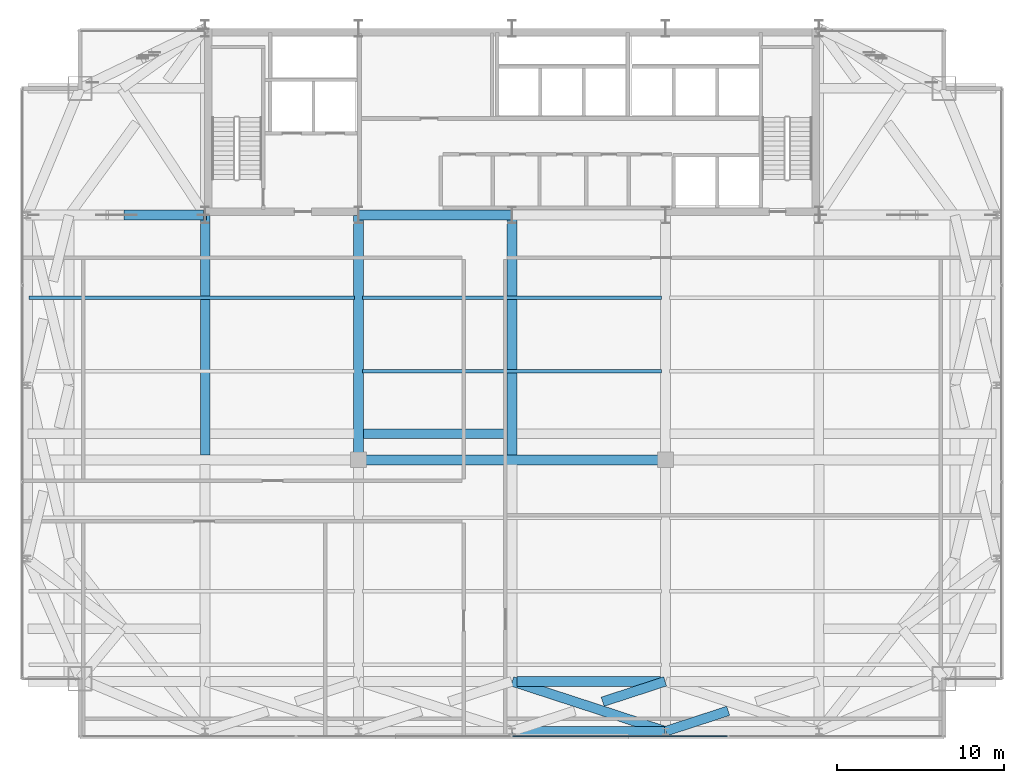
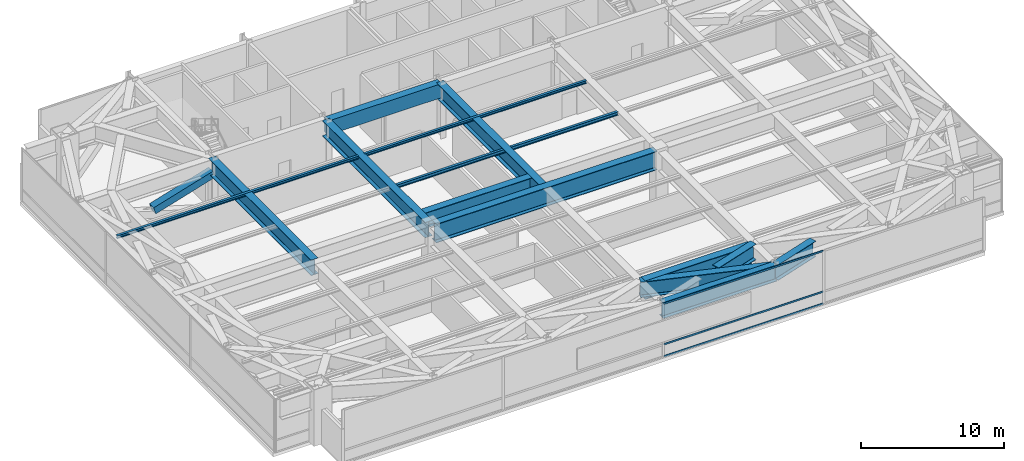
# One storey, part 11 of 32: 14 beams, 4 members, 1 element without a shape of its own.
"""IFC4 building model written with IfcOpenShell, lengths in metres."""

from ifc_helpers import new_model, si_unit, direction, frame, origin, origin_2d, place, context, subcontext, project, spatial, rectangle, hollow_rectangle, i_section, extrude, source, transform, mapped, material, layer, layer_set, material_profile, profile_set, type_object, type_shapes, element, aggregate, save


model = new_model("IFC4")

# Units and contexts
model_context = context("Model", 3, precision=1e-05, world=origin(), true_north=direction((0.0, 1.0)))
body_context = subcontext(model_context, "Body", "Model", "MODEL_VIEW")
ifc_project = project(units=[si_unit("LENGTHUNIT", "METRE"), si_unit("AREAUNIT", "SQUARE_METRE"), si_unit("VOLUMEUNIT", "CUBIC_METRE"), si_unit("PLANEANGLEUNIT", "RADIAN"), si_unit("MASSUNIT", "GRAM", prefix="KILO")], contexts=[model_context])

# Site, building, storey
site_placement = place(None, origin())
site = spatial("IfcSite", under=ifc_project, at=site_placement, CompositionType="ELEMENT")
building_placement = place(site_placement, origin())
building = spatial("IfcBuilding", under=site, at=building_placement, Name="Varnel Quay Broadcast Tower", CompositionType="ELEMENT")
storey_placement = place(building_placement, frame((0.0, 0.0, 141.0)))
storey = spatial("IfcBuildingStorey", under=building, at=storey_placement, Name="L34", CompositionType="ELEMENT", Elevation=141.0)

# Beams
ifc_material_1 = material(Name="Concrete CSA A23.3 C60/75", Category="concrete")
ifc_material_profile_1 = material_profile(ifc_material_1, rectangle(XDim=0.60009765625, YDim=1.199951171875, at=origin_2d()), Name="RC600X1200")
ifc_profile_set_1 = profile_set([ifc_material_profile_1], Name="Concrete CSA A23.3 C60/75")
beam_type_1 = type_object("IfcBeamType", Name="Beam_RC600X1200", PredefinedType="BEAM", material=ifc_profile_set_1)
shared_shape_1 = source(origin(), body_context, "Body", "SweptSolid", [
    extrude(rectangle(XDim=0.60009765625, YDim=1.199951171875, at=origin_2d()), origin(), (0.0, 0.0, 1.0), 9.159912109375),
])
type_shapes(beam_type_1, [shared_shape_1])
beam_1_placement = place(storey_placement, frame((24.820068359375, 35.60009765625, 3.949951171875), z_axis=(1.0, 0.0, 0.0), x_axis=(0.0, 1.0, 0.0)))
element("IfcBeam", 1, at=beam_1_placement, inside=storey, type_object=beam_type_1, Name="L34 Core Coupling Beam W", PredefinedType="BEAM", context=body_context, shape_type="MappedRepresentation", body=[
    mapped(shared_shape_1, transform((0.0, 0.0, 0.0), x_axis=(1.0, 0.0, 0.0), y_axis=(0.0, 1.0, 0.0), z_axis=(0.0, 0.0, 1.0), scale=1.0)),
])
ifc_material_2 = material(Name="Structural Steel CSA G40.21 350WT", Category="steel")
ifc_material_profile_2 = material_profile(ifc_material_2, i_section(OverallWidth=0.580078125, OverallDepth=1.330078125, WebThickness=0.02197265625, FlangeThickness=0.0380859375, FilletRadius=0.02001953125, at=origin_2d()), Name="WWF1330X535")
ifc_profile_set_2 = profile_set([ifc_material_profile_2], Name="Structural Steel CSA G40.21 350WT")
beam_type_2 = type_object("IfcBeamType", Name="Girder_WWF1330X535", PredefinedType="BEAM", material=ifc_profile_set_2)
shared_shape_2 = source(origin(), body_context, "Body", "SweptSolid", [
    extrude(i_section(OverallWidth=0.580078125, OverallDepth=1.330078125, WebThickness=0.02197265625, FlangeThickness=0.0380859375, FilletRadius=0.02001953125, at=origin_2d()), origin(), (0.0, 0.0, 1.0), 9.159912109375),
])
beam_2_placement = place(storey_placement, frame((34.02001953125, 4.64990234375, 3.885009765625), z_axis=(1.0, 0.0, 0.0), x_axis=(0.0, 1.0, 0.0)))
element("IfcBeam", 2, at=beam_2_placement, inside=storey, type_object=beam_type_2, Name="L34 Perimeter Transfer Spine TC-S3-TC-S4", PredefinedType="BEAM", context=body_context, shape_type="MappedRepresentation", body=[
    mapped(shared_shape_2, transform((0.0, 0.0, 0.0), x_axis=(1.0, 0.0, 0.0), y_axis=(0.0, 1.0, 0.0), z_axis=(0.0, 0.0, 1.0), scale=1.0)),
])
ifc_material_profile_3 = material_profile(ifc_material_2, i_section(OverallWidth=0.60009765625, OverallDepth=1.60009765625, WebThickness=0.02392578125, FlangeThickness=0.0419921875, FilletRadius=0.02197265625, at=origin_2d()), Name="WWF1600X620")
ifc_profile_set_3 = profile_set([ifc_material_profile_3], Name="Structural Steel CSA G40.21 350WT")
beam_type_3 = type_object("IfcBeamType", Name="Girder_WWF1600X620", PredefinedType="BEAM", material=ifc_profile_set_3)
shared_shape_3 = source(origin(), body_context, "Body", "SweptSolid", [
    extrude(i_section(OverallWidth=0.60009765625, OverallDepth=1.60009765625, WebThickness=0.02392578125, FlangeThickness=0.0419921875, FilletRadius=0.02197265625, at=origin_2d()), origin(), (0.0, 0.0, 1.0), 17.830078125),
])
beam_3_placement = place(storey_placement, frame((25.0849609375, 20.929931640625, 3.75), z_axis=(1.0, 0.0, 0.0), x_axis=(0.0, 1.0, 0.0)))
element("IfcBeam", 3, at=beam_3_placement, inside=storey, type_object=beam_type_3, Name="L34 Mid Transfer Spine C", PredefinedType="BEAM", context=body_context, shape_type="MappedRepresentation", body=[
    mapped(shared_shape_3, transform((0.0, 0.0, 0.0), x_axis=(1.0, 0.0, 0.0), y_axis=(0.0, 1.0, 0.0), z_axis=(0.0, 0.0, 1.0), scale=1.0)),
])
shared_shape_4 = source(origin(), body_context, "Body", "SweptSolid", [
    extrude(i_section(OverallWidth=0.60009765625, OverallDepth=1.60009765625, WebThickness=0.02392578125, FlangeThickness=0.0419921875, FilletRadius=0.02197265625, at=origin_2d()), origin(), (0.0, 0.0, 1.0), 8.630126953125),
])
type_shapes(beam_type_3, [shared_shape_3, shared_shape_4])
beam_4_placement = place(storey_placement, frame((34.284912109375, 7.64990234375, 3.75), z_axis=(1.0, 0.0, 0.0), x_axis=(0.0, 1.0, 0.0)))
element("IfcBeam", 4, at=beam_4_placement, inside=storey, type_object=beam_type_3, Name="L34 Setback South Transfer Header 4", PredefinedType="BEAM", context=body_context, shape_type="MappedRepresentation", body=[
    mapped(shared_shape_4, transform((0.0, 0.0, 0.0), x_axis=(1.0, 0.0, 0.0), y_axis=(0.0, 1.0, 0.0), z_axis=(0.0, 0.0, 1.0), scale=1.0)),
])
shared_shape_5 = source(origin(), body_context, "Body", "SweptSolid", [
    extrude(i_section(OverallWidth=0.580078125, OverallDepth=1.330078125, WebThickness=0.02197265625, FlangeThickness=0.0380859375, FilletRadius=0.02001953125, at=origin_2d()), origin(), (0.0, 0.0, 1.0), 8.630126953125),
])
beam_5_placement = place(storey_placement, frame((25.0849609375, 22.489990234375, 3.885009765625), z_axis=(1.0, 0.0, 0.0), x_axis=(0.0, 1.0, 0.0)))
element("IfcBeam", 5, at=beam_5_placement, inside=storey, type_object=beam_type_2, Name="L34 Setback Interior Column Transfer 3", PredefinedType="BEAM", context=body_context, shape_type="MappedRepresentation", body=[
    mapped(shared_shape_5, transform((0.0, 0.0, 0.0), x_axis=(1.0, 0.0, 0.0), y_axis=(0.0, 1.0, 0.0), z_axis=(0.0, 0.0, 1.0), scale=1.0)),
])
shared_shape_6 = source(origin(), body_context, "Body", "SweptSolid", [
    extrude(i_section(OverallWidth=0.580078125, OverallDepth=1.330078125, WebThickness=0.02197265625, FlangeThickness=0.0380859375, FilletRadius=0.02001953125, at=origin_2d()), origin(), (0.0, 0.0, 1.0), 9.63671875),
])
beam_6_placement = place(storey_placement, frame((43.180908203125, 4.65625, 3.885009765625), z_axis=(-0.950730326475, 0.310019106379, 0.0), x_axis=(-0.310019106379, -0.950730326475, 0.0)))
element("IfcBeam", 6, at=beam_6_placement, inside=storey, type_object=beam_type_2, Name="L34 X-Braced Transfer Tie TC-S3-TC-S4", PredefinedType="BEAM", context=body_context, shape_type="MappedRepresentation", body=[
    mapped(shared_shape_6, transform((0.0, 0.0, 0.0), x_axis=(1.0, 0.0, 0.0), y_axis=(0.0, 1.0, 0.0), z_axis=(0.0, 0.0, 1.0), scale=1.0)),
])
shared_shape_7 = source(origin(), body_context, "Body", "SweptSolid", [
    extrude(i_section(OverallWidth=0.580078125, OverallDepth=1.330078125, WebThickness=0.02197265625, FlangeThickness=0.0380859375, FilletRadius=0.02001953125, at=origin_2d()), origin(), (0.0, 0.0, 1.0), 3.939453125),
])
beam_7_placement = place(storey_placement, frame((43.218994140625, 4.65625, 3.885009765625), z_axis=(0.950738972318, 0.309992591065, 0.0), x_axis=(-0.309992591065, 0.950738972318, 0.0)))
element("IfcBeam", 7, at=beam_7_placement, inside=storey, type_object=beam_type_2, Name="L34 X-Braced Transfer Tie TC-S5-TC-S4 Part 1", PredefinedType="BEAM", context=body_context, shape_type="MappedRepresentation", body=[
    mapped(shared_shape_7, transform((0.0, 0.0, 0.0), x_axis=(1.0, 0.0, 0.0), y_axis=(0.0, 1.0, 0.0), z_axis=(0.0, 0.0, 1.0), scale=1.0)),
])
shared_shape_8 = source(origin(), body_context, "Body", "SweptSolid", [
    extrude(i_section(OverallWidth=0.580078125, OverallDepth=1.330078125, WebThickness=0.02197265625, FlangeThickness=0.0380859375, FilletRadius=0.02001953125, at=origin_2d()), origin(), (0.0, 0.0, 1.0), 3.939208984375),
])
beam_8_placement = place(storey_placement, frame((39.435791015625, 6.422607421875, 3.885009765625), z_axis=(0.950733016401, 0.310010857108, 0.0), x_axis=(-0.310010857108, 0.950733016401, 0.0)))
element("IfcBeam", 8, at=beam_8_placement, inside=storey, type_object=beam_type_2, Name="L34 X-Braced Transfer Tie TC-S4-TC-S3 Part 2", PredefinedType="BEAM", context=body_context, shape_type="MappedRepresentation", body=[
    mapped(shared_shape_8, transform((0.0, 0.0, 0.0), x_axis=(1.0, 0.0, 0.0), y_axis=(0.0, 1.0, 0.0), z_axis=(0.0, 0.0, 1.0), scale=1.0)),
])
ifc_material_3 = material(Name="Structural Steel CSA G40.21 350W", Category="steel")
ifc_material_profile_4 = material_profile(ifc_material_3, i_section(OverallWidth=0.202880859375, OverallDepth=0.302978515625, WebThickness=0.007568359375, FlangeThickness=0.01318359375, FilletRadius=0.011962890625, at=origin_2d()), Name="W310X60")
ifc_profile_set_4 = profile_set([ifc_material_profile_4], Name="Structural Steel CSA G40.21 350W")
beam_type_4 = type_object("IfcBeamType", Name="Beam_W310X60", PredefinedType="JOIST", material=ifc_profile_set_4)
shared_shape_9 = source(origin(), body_context, "Body", "SweptSolid", [
    extrude(i_section(OverallWidth=0.202880859375, OverallDepth=0.302978515625, WebThickness=0.007568359375, FlangeThickness=0.01318359375, FilletRadius=0.011962890625, at=origin_2d()), origin(), (0.0, 0.0, 1.0), 17.91015625),
])
type_shapes(beam_type_4, [shared_shape_9])
beam_9_placement = place(storey_placement, frame((25.044921875, 26.25, 4.3984375), z_axis=(1.0, 0.0, 0.0), x_axis=(0.0, 1.0, 0.0)))
element("IfcBeam", 9, at=beam_9_placement, inside=storey, type_object=beam_type_4, Name="L34 Central Floor Joist 5", PredefinedType="JOIST", context=body_context, shape_type="MappedRepresentation", body=[
    mapped(shared_shape_9, transform((0.0, 0.0, 0.0), x_axis=(1.0, 0.0, 0.0), y_axis=(0.0, 1.0, 0.0), z_axis=(0.0, 0.0, 1.0), scale=1.0)),
])
ifc_material_profile_5 = material_profile(ifc_material_3, i_section(OverallWidth=0.201904296875, OverallDepth=0.2470703125, WebThickness=0.00732421875, FlangeThickness=0.010986328125, FilletRadius=0.010986328125, at=origin_2d()), Name="W250X49")
ifc_profile_set_5 = profile_set([ifc_material_profile_5], Name="Structural Steel CSA G40.21 350W")
beam_type_5 = type_object("IfcBeamType", Name="Beam_W250X49", PredefinedType="JOIST", material=ifc_profile_set_5)
shared_shape_10 = source(origin(), body_context, "Body", "SweptSolid", [
    extrude(i_section(OverallWidth=0.201904296875, OverallDepth=0.2470703125, WebThickness=0.00732421875, FlangeThickness=0.010986328125, FilletRadius=0.010986328125, at=origin_2d()), origin(), (0.0, 0.0, 1.0), 17.91015625),
])
beam_10_placement = place(storey_placement, frame((25.044921875, 30.64990234375, 4.426513671875), z_axis=(1.0, 0.0, 0.0), x_axis=(0.0, 1.0, 0.0)))
element("IfcBeam", 10, at=beam_10_placement, inside=storey, type_object=beam_type_5, Name="L34 Central Floor Joist 6", PredefinedType="JOIST", context=body_context, shape_type="MappedRepresentation", body=[
    mapped(shared_shape_10, transform((0.0, 0.0, 0.0), x_axis=(1.0, 0.0, 0.0), y_axis=(0.0, 1.0, 0.0), z_axis=(0.0, 0.0, 1.0), scale=1.0)),
])
shared_shape_11 = source(origin(), body_context, "Body", "SweptSolid", [
    extrude(i_section(OverallWidth=0.580078125, OverallDepth=1.330078125, WebThickness=0.02197265625, FlangeThickness=0.0380859375, FilletRadius=0.02001953125, at=origin_2d()), origin(), (0.0, 0.0, 1.0), 14.364990234375),
])
type_shapes(beam_type_2, [shared_shape_2, shared_shape_5, shared_shape_6, shared_shape_7, shared_shape_8, shared_shape_11])
for number, where, z_axis, x_axis, name in (
    (11, (15.60009765625, 21.215087890625, 3.885009765625), (0.0, 1.0, 0.0), (-1.0, 0.0, 0.0), "L34 N-S Transfer Girder 1B"),
    (12, (24.800048828125, 21.215087890625, 3.885009765625), (0.0, 1.0, 0.0), (-1.0, 0.0, 0.0), "L34 N-S Transfer Girder 2B"),
    (13, (34.0, 21.215087890625, 3.885009765625), (0.0, 1.0, 0.0), (-1.0, 0.0, 0.0), "L34 N-S Transfer Girder 3B"),
):
    element("IfcBeam", number, at=place(storey_placement, frame(where, z_axis=z_axis, x_axis=x_axis)), inside=storey, type_object=beam_type_2, Name=name, PredefinedType="BEAM", context=body_context, shape_type="MappedRepresentation", body=[
        mapped(shared_shape_11, transform((0.0, 0.0, 0.0), x_axis=(1.0, 0.0, 0.0), y_axis=(0.0, 1.0, 0.0), z_axis=(0.0, 0.0, 1.0), scale=1.0)),
    ])
shared_shape_12 = source(origin(), body_context, "Body", "SweptSolid", [
    extrude(i_section(OverallWidth=0.201904296875, OverallDepth=0.2470703125, WebThickness=0.00732421875, FlangeThickness=0.010986328125, FilletRadius=0.010986328125, at=origin_2d()), origin(), (0.0, 0.0, 1.0), 19.51953125),
])
type_shapes(beam_type_5, [shared_shape_10, shared_shape_12])
beam_11_placement = place(storey_placement, frame((5.035400390625, 30.64990234375, 4.426513671875), z_axis=(1.0, 0.0, 0.0), x_axis=(0.0, 1.0, 0.0)))
element("IfcBeam", 14, at=beam_11_placement, inside=storey, type_object=beam_type_5, Name="L34 West Floor Joist 6", PredefinedType="JOIST", context=body_context, shape_type="MappedRepresentation", body=[
    mapped(shared_shape_12, transform((0.0, 0.0, 0.0), x_axis=(1.0, 0.0, 0.0), y_axis=(0.0, 1.0, 0.0), z_axis=(0.0, 0.0, 1.0), scale=1.0)),
])

# Member
ifc_material_profile_6 = material_profile(ifc_material_2, hollow_rectangle(XDim=0.60009765625, YDim=0.60009765625, WallThickness=0.028076171875, at=origin_2d()), Name="BOX600X600X28")
ifc_profile_set_6 = profile_set([ifc_material_profile_6], Name="Structural Steel CSA G40.21 350WT")
member_type_1 = type_object("IfcMemberType", Name="Outrigger_BOX600X600X28", PredefinedType="BRACE", material=ifc_profile_set_6)
shared_shape_13 = source(origin(), body_context, "Body", "SweptSolid", [
    extrude(hollow_rectangle(XDim=0.60009765625, YDim=0.60009765625, WallThickness=0.028076171875, at=origin_2d()), origin(), (0.0, 0.0, 1.0), 4.99658203125),
])
type_shapes(member_type_1, [shared_shape_13])
member_1_placement = place(storey_placement, frame((10.8173828125, 35.60009765625, 1.7939453125), z_axis=(0.95720544647, 0.0, 0.289409283279), x_axis=(0.0, 1.0, 0.0)))
element("IfcMember", 15, at=member_1_placement, inside=storey, type_object=member_type_1, Name="L34 Outrigger W Split Diag B2", PredefinedType="BRACE", context=body_context, shape_type="MappedRepresentation", body=[
    mapped(shared_shape_13, transform((0.0, 0.0, 0.0), x_axis=(1.0, 0.0, 0.0), y_axis=(0.0, 1.0, 0.0), z_axis=(0.0, 0.0, 1.0), scale=1.0)),
])

# Curtain wall, members
ifc_material_4 = material(Name="Anodised Bronze Aluminium 6063-T6", Category="aluminium")
ifc_layer = layer(ifc_material_4, 0.18994140625, Name="Anodised Bronze Aluminium 6063-T6")
ifc_layer_set = layer_set([ifc_layer], Name="Anodised Bronze Aluminium 6063-T6")
curtain_wall_type = type_object("IfcCurtainWallType", Name="CW_LowerTower", PredefinedType="NOTDEFINED", material=ifc_layer_set)
curtain_wall_placement = place(storey_placement, origin())
curtain_wall = element("IfcCurtainWall", 16, at=curtain_wall_placement, inside=storey, type_object=curtain_wall_type, Name="L34 South Unitised Curtain Wall 1", PredefinedType="NOTDEFINED")
ifc_material_profile_7 = material_profile(ifc_material_4, hollow_rectangle(XDim=0.06005859375, YDim=0.14501953125, WallThickness=0.00341796875, at=origin_2d()), Name="ALU60X145X3.5")
ifc_profile_set_7 = profile_set([ifc_material_profile_7], Name="Anodised Bronze Aluminium 6063-T6")
member_type_2 = type_object("IfcMemberType", Name="Tran_CWS-02", PredefinedType="USERDEFINED", material=ifc_profile_set_7)
shared_shape_14 = source(origin(), body_context, "Body", "SweptSolid", [
    extrude(hollow_rectangle(XDim=0.06005859375, YDim=0.14501953125, WallThickness=0.00341796875, at=origin_2d()), origin(), (0.0, 0.0, 1.0), 12.880126953125),
])
type_shapes(member_type_2, [shared_shape_14])
member_2_placement = place(storey_placement, frame((34.034912109375, 4.35009765625, 0.030029296875), z_axis=(1.0, 0.0, 0.0), x_axis=(0.0, 1.0, 0.0)))
member_2 = element("IfcMember", 17, at=member_2_placement, type_object=member_type_2, Name="CWS-02 transom 3.1", ObjectType="TRANSOM", PredefinedType="USERDEFINED", context=body_context, shape_type="MappedRepresentation", body=[
    mapped(shared_shape_14, transform((0.0, 0.0, 0.0), x_axis=(1.0, 0.0, 0.0), y_axis=(0.0, 1.0, 0.0), z_axis=(0.0, 0.0, 1.0), scale=1.0)),
])
member_3_placement = place(storey_placement, frame((34.034912109375, 4.35009765625, 1.050048828125), z_axis=(1.0, 0.0, 0.0), x_axis=(0.0, 1.0, 0.0)))
member_3 = element("IfcMember", 18, at=member_3_placement, type_object=member_type_2, Name="CWS-02 transom 3.2", ObjectType="TRANSOM", PredefinedType="USERDEFINED", context=body_context, shape_type="MappedRepresentation", body=[
    mapped(shared_shape_14, transform((0.0, 0.0, 0.0), x_axis=(1.0, 0.0, 0.0), y_axis=(0.0, 1.0, 0.0), z_axis=(0.0, 0.0, 1.0), scale=1.0)),
])
member_4_placement = place(storey_placement, frame((34.034912109375, 4.35009765625, 4.52001953125), z_axis=(1.0, 0.0, 0.0), x_axis=(0.0, 1.0, 0.0)))
member_4 = element("IfcMember", 19, at=member_4_placement, type_object=member_type_2, Name="CWS-02 transom 3.3", ObjectType="TRANSOM", PredefinedType="USERDEFINED", context=body_context, shape_type="MappedRepresentation", body=[
    mapped(shared_shape_14, transform((0.0, 0.0, 0.0), x_axis=(1.0, 0.0, 0.0), y_axis=(0.0, 1.0, 0.0), z_axis=(0.0, 0.0, 1.0), scale=1.0)),
])
aggregate(curtain_wall, [member_2, member_3, member_4])

save(model, "model.ifc")
